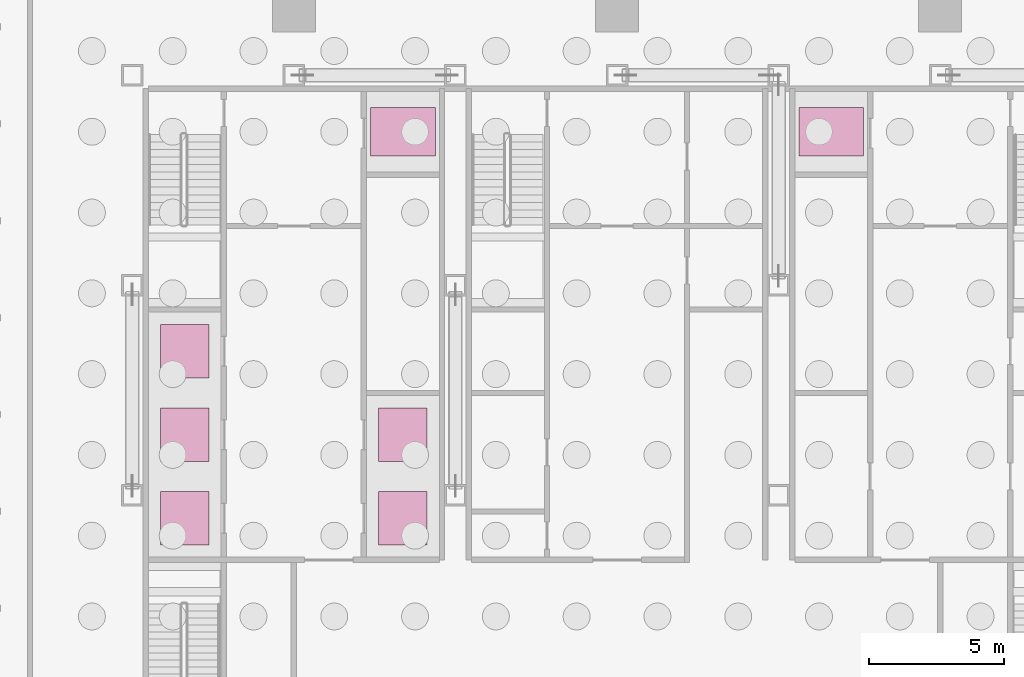
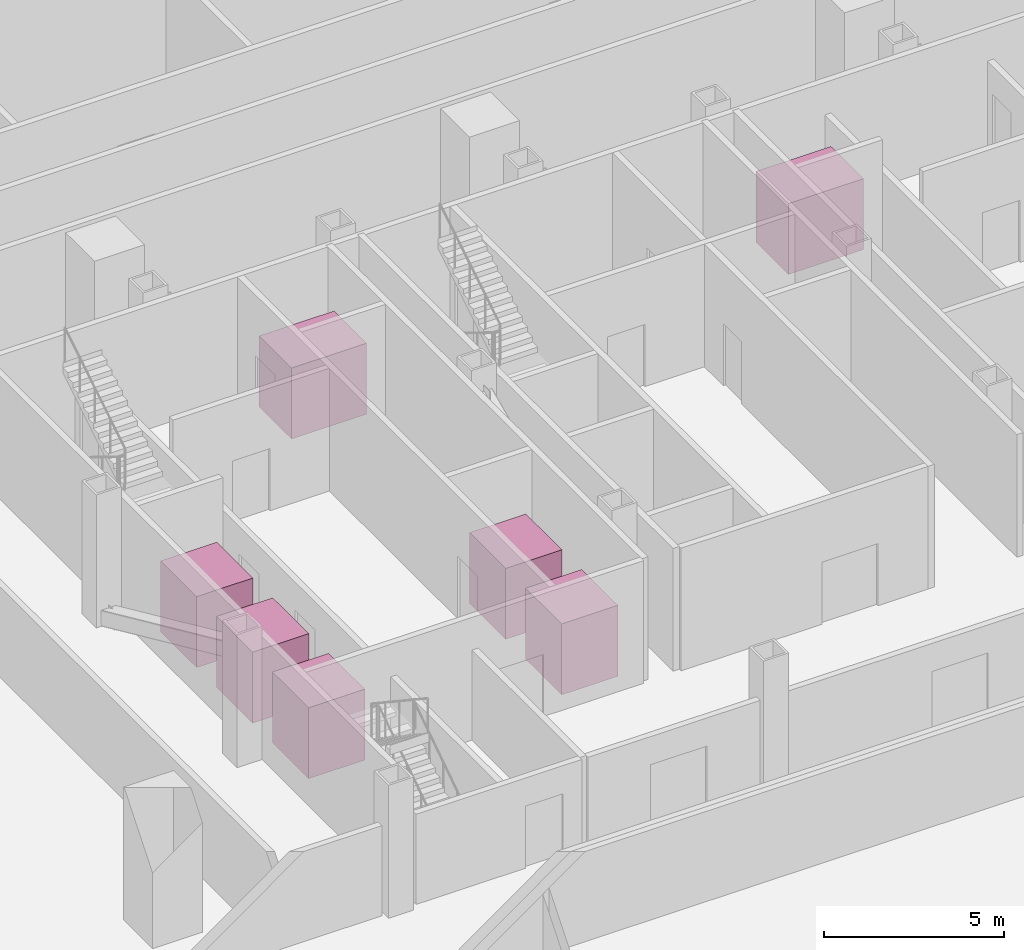
# One storey, part 18 of 18: 7 transport elements.
"""IFC4 building model written with IfcOpenShell, lengths in metres."""

import ifcopenshell
import ifcopenshell.guid

model = None  # the IFC model being written
_history = None  # IfcOwnerHistory: only IFC2X3 demands one
_inside = {}  # id of a spatial element -> (the spatial element, [elements in it])
_under = {}  # id of a project, library or spatial element -> (it, [spatial elements below it])
_declared = {}  # id of a project -> (the project, [libraries it declares])
_typed = {}  # id of a type object -> (the type object, [elements of that type])
_made_of = {}  # id of a material, layer set ... -> (it, [elements and type objects made of it])


def new_model(schema):
    """Start an empty IFC model of exactly this schema.

    Asked for "IFC4X3", IfcOpenShell would pick the latest addendum, in which some entities
    have other attributes; the version numbers below select the first issue.
    IFC2X3 requires an IfcOwnerHistory on every rooted entity: one is made here for all.
    """
    global model, _history
    if schema == "IFC4X3":
        model = ifcopenshell.file(schema_version=(4, 3, 0, 0))
    else:
        model = ifcopenshell.file(schema=schema)
    _inside.clear()
    _under.clear()
    _declared.clear()
    _typed.clear()
    _made_of.clear()
    _history = None
    if model.schema == "IFC2X3":
        org = make("IfcOrganization", Name="unknown")
        user = make(
            "IfcPersonAndOrganization",
            ThePerson=make("IfcPerson", FamilyName="unknown"),
            TheOrganization=org,
        )
        app = make(
            "IfcApplication",
            ApplicationDeveloper=org,
            Version="unknown",
            ApplicationFullName="unknown",
            ApplicationIdentifier="unknown",
        )
        _history = make(
            "IfcOwnerHistory",
            OwningUser=user,
            OwningApplication=app,
            ChangeAction="ADDED",
            CreationDate=0,
        )
    return model


def make(cls, **values):
    """One entity of the class cls with the attributes given. An attribute that is None is left unset."""
    return model.create_entity(
        cls, **{name: value for name, value in values.items() if value is not None}
    )


def rooted(cls, **values):
    """An entity with a GlobalId (a new one), such as an element, a storey or a relation."""
    return make(cls, GlobalId=ifcopenshell.guid.new(), OwnerHistory=_history, **values)


def si_unit(unit_type, name, prefix=None):
    """IfcSIUnit, for example si_unit("LENGTHUNIT", "METRE", prefix="MILLI")."""
    return make("IfcSIUnit", UnitType=unit_type, Prefix=prefix, Name=name)


def assignment(units):
    """IfcUnitAssignment: the units of a project."""
    return None if units is None else make("IfcUnitAssignment", Units=units)


def point(xyz):
    """IfcCartesianPoint."""
    return None if xyz is None else make("IfcCartesianPoint", Coordinates=xyz)


def direction(xyz):
    """IfcDirection."""
    return None if xyz is None else make("IfcDirection", DirectionRatios=xyz)


def frame(location, z_axis=None, x_axis=None):
    """IfcAxis2Placement3D, a coordinate frame: its origin and axes. An axis left out is left unset."""
    return make(
        "IfcAxis2Placement3D",
        Location=point(location),
        Axis=direction(z_axis),
        RefDirection=direction(x_axis),
    )


def frame_2d(location, x_axis=None):
    """IfcAxis2Placement2D, a coordinate frame in the plane: its origin and x axis."""
    return make(
        "IfcAxis2Placement2D", Location=point(location), RefDirection=direction(x_axis)
    )


def origin():
    """The frame at (0, 0, 0) with its axes left unset."""
    return frame((0.0, 0.0, 0.0))


def origin_2d():
    """The frame at (0, 0) in the plane with its x axis left unset."""
    return frame_2d((0.0, 0.0))


def place(relative_to, where):
    """IfcLocalPlacement: puts the frame where relative to a parent placement (None: the world)."""
    return make(
        "IfcLocalPlacement", PlacementRelTo=relative_to, RelativePlacement=where
    )


def context(
    kind, dimensions, precision=None, world=None, true_north=None, identifier=None
):
    """IfcGeometricRepresentationContext, for example the 3D "Model" context."""
    return make(
        "IfcGeometricRepresentationContext",
        ContextIdentifier=identifier,
        ContextType=kind,
        CoordinateSpaceDimension=dimensions,
        Precision=precision,
        WorldCoordinateSystem=world,
        TrueNorth=true_north,
    )


def subcontext(parent, identifier, kind, view, scale=None):
    """IfcGeometricRepresentationSubContext, for example "Body" below "Model"."""
    return make(
        "IfcGeometricRepresentationSubContext",
        ContextIdentifier=identifier,
        ContextType=kind,
        ParentContext=parent,
        TargetScale=scale,
        TargetView=view,
    )


def project(units=None, contexts=None):
    """IfcProject with its units and contexts."""
    return rooted(
        "IfcProject",
        Name="project",
        RepresentationContexts=contexts,
        UnitsInContext=assignment(units),
    )


def spatial(cls, under=None, at=None, **own):
    """A site, building, storey or space (cls), placed at a placement, below another one or the project."""
    s = rooted(cls, ObjectPlacement=at, **own)
    if under is not None:
        _under.setdefault(under.id(), (under, []))[1].append(s)
    return s


def profile(cls, at=None, kind="AREA", **sizes):
    """A parametric profile (cls). Its sizes go by their IFC names, for example OverallWidth=200.0."""
    return make(cls, ProfileType=kind, Position=at, **sizes)


def rectangle(**sizes):
    """IfcRectangleProfileDef."""
    return profile("IfcRectangleProfileDef", **sizes)


def extrude(swept, where, along, depth):
    """IfcExtrudedAreaSolid: the profile swept, set in the frame where, extruded along a direction by depth."""
    return make(
        "IfcExtrudedAreaSolid",
        SweptArea=swept,
        Position=where,
        ExtrudedDirection=direction(along),
        Depth=depth,
    )


def shape(context_of_items, identifier, shape_type, items):
    """IfcShapeRepresentation: the items that make up one representation, for example the "Body"."""
    return make(
        "IfcShapeRepresentation",
        ContextOfItems=context_of_items,
        RepresentationIdentifier=identifier,
        RepresentationType=shape_type,
        Items=items,
    )


def material(Name=None, Category=None):
    """IfcMaterial."""
    return make("IfcMaterial", Name=Name, Category=Category)


def made_of(thing, what):
    """Note that an element or type object is made of a material, layer set ...; save() writes the relation."""
    if what is not None:
        _made_of.setdefault(what.id(), (what, []))[1].append(thing)
    return thing


def type_object(cls, material=None, **own):
    """A type object (cls), such as IfcWallType, which elements share."""
    return made_of(rooted(cls, **own), material)


def element(
    cls,
    number,
    at=None,
    inside=None,
    cuts=None,
    type_object=None,
    material=None,
    context=None,
    identifier="Body",
    shape_type=None,
    held_by="IfcProductDefinitionShape",
    body=None,
    shapes=None,
    **own,
):
    """One element of the class cls, such as IfcWall. Its Tag is "e" and its number.

    at: its placement. inside: the storey or other place that contains it. cuts: it is an
    opening in that element (IfcRelVoidsElement). A single representation is given by context,
    identifier, shape_type and body (its items); several are given by shapes. held_by: the class
    of the entity that holds the representations. save() writes the other relations.
    """
    e = rooted(cls, Tag="e%d" % number, ObjectPlacement=at, **own)
    if body is not None:
        shapes = [shape(context, identifier, shape_type, body)]
    if shapes is not None:
        e.Representation = make(held_by, Representations=shapes)
    if inside is not None:
        _inside.setdefault(inside.id(), (inside, []))[1].append(e)
    if cuts is not None:
        rooted(
            "IfcRelVoidsElement", RelatingBuildingElement=cuts, RelatedOpeningElement=e
        )
    if type_object is not None:
        _typed.setdefault(type_object.id(), (type_object, []))[1].append(e)
    return made_of(e, material)


def aggregate(whole, parts):
    """IfcRelAggregates: a whole, such as a stair, and the parts it consists of."""
    return rooted("IfcRelAggregates", RelatingObject=whole, RelatedObjects=parts)


def save(model, path):
    """Write the relations noted so far, then the file.

    IfcRelAggregates (storeys below a building ...), IfcRelContainedInSpatialStructure (elements
    in a storey), IfcRelDefinesByType, IfcRelAssociatesMaterial and IfcRelDeclares: one each for
    every whole, place, type object, material and project.
    """
    for whole, parts in _under.values():
        aggregate(whole, parts)
    for where, things in _inside.values():
        rooted(
            "IfcRelContainedInSpatialStructure",
            RelatedElements=things,
            RelatingStructure=where,
        )
    for kind, things in _typed.values():
        rooted("IfcRelDefinesByType", RelatedObjects=things, RelatingType=kind)
    for what, things in _made_of.values():
        rooted("IfcRelAssociatesMaterial", RelatedObjects=things, RelatingMaterial=what)
    for by, libraries in _declared.values():
        rooted("IfcRelDeclares", RelatingContext=by, RelatedDefinitions=libraries)
    model.write(path)


model = new_model("IFC4")

# Units and contexts
model_context = context("Model", 3, precision=1e-05, world=origin(), true_north=direction((0.0, 1.0)))
body_context = subcontext(model_context, "Body", "Model", "MODEL_VIEW")
ifc_project = project(units=[si_unit("LENGTHUNIT", "METRE"), si_unit("AREAUNIT", "SQUARE_METRE"), si_unit("VOLUMEUNIT", "CUBIC_METRE"), si_unit("PLANEANGLEUNIT", "RADIAN"), si_unit("MASSUNIT", "GRAM", prefix="KILO")], contexts=[model_context])

# Site, building, storey
site_placement = place(None, origin())
site = spatial("IfcSite", under=ifc_project, at=site_placement, CompositionType="ELEMENT")
building_placement = place(site_placement, origin())
building = spatial("IfcBuilding", under=site, at=building_placement, Name="Sorahane Residences", CompositionType="ELEMENT")
storey_placement = place(building_placement, frame((0.0, 0.0, -13.5)))
storey = spatial("IfcBuildingStorey", under=building, at=storey_placement, Name="B3", CompositionType="ELEMENT", Elevation=-13.5)

# Transport elements
ifc_material_1 = material(Name="Stainless steel and glass", Category="steel")
transport_element_type_1 = type_object("IfcTransportElementType", Name="Firefighting lift 1600 kg 1800x2400", PredefinedType="ELEVATOR", material=ifc_material_1)
for number, where, z_axis, x_axis, name in (
    (1, (16.050048828125, 43.5, 0.0), (0.0, 0.0, 1.0), (1.0, 0.0, 0.0), "Firefighting lift FF1"),
    (2, (31.949951171875, 43.5, 0.0), (0.0, 0.0, 1.0), (1.0, 0.0, 0.0), "Firefighting lift FF2"),
):
    element("IfcTransportElement", number, at=place(storey_placement, frame(where, z_axis=z_axis, x_axis=x_axis)), inside=storey, type_object=transport_element_type_1, Name=name, PredefinedType="ELEVATOR", context=body_context, shape_type="SweptSolid", body=[
        extrude(rectangle(XDim=2.39990234375, YDim=1.800048828125, at=origin_2d()), origin(), (0.0, 0.0, 1.0), 2.39990234375),
    ])
ifc_material_2 = material(Name="Stainless steel and glass", Category="steel")
transport_element_type_2 = type_object("IfcTransportElementType", Name="Low-rise lift 1600 kg 2000x1800", PredefinedType="ELEVATOR", material=ifc_material_2)
for number, where, z_axis, x_axis, name in (
    (3, (7.949951171875, 29.14990234375, 0.0), (0.0, 0.0, 1.0), (1.0, 0.0, 0.0), "Low-rise lift LR1"),
    (4, (7.949951171875, 32.25, 0.0), (0.0, 0.0, 1.0), (1.0, 0.0, 0.0), "Low-rise lift LR2"),
    (5, (7.949951171875, 35.35009765625, 0.0), (0.0, 0.0, 1.0), (1.0, 0.0, 0.0), "Low-rise lift LR3"),
    (6, (16.050048828125, 29.14990234375, 0.0), (0.0, 0.0, 1.0), (1.0, 0.0, 0.0), "Low-rise lift LR4"),
    (7, (16.050048828125, 32.25, 0.0), (0.0, 0.0, 1.0), (1.0, 0.0, 0.0), "Low-rise lift LR5"),
):
    element("IfcTransportElement", number, at=place(storey_placement, frame(where, z_axis=z_axis, x_axis=x_axis)), inside=storey, type_object=transport_element_type_2, Name=name, PredefinedType="ELEVATOR", context=body_context, shape_type="SweptSolid", body=[
        extrude(rectangle(XDim=1.800048828125, YDim=2.0, at=origin_2d()), origin(), (0.0, 0.0, 1.0), 2.39990234375),
    ])

save(model, "model.ifc")
